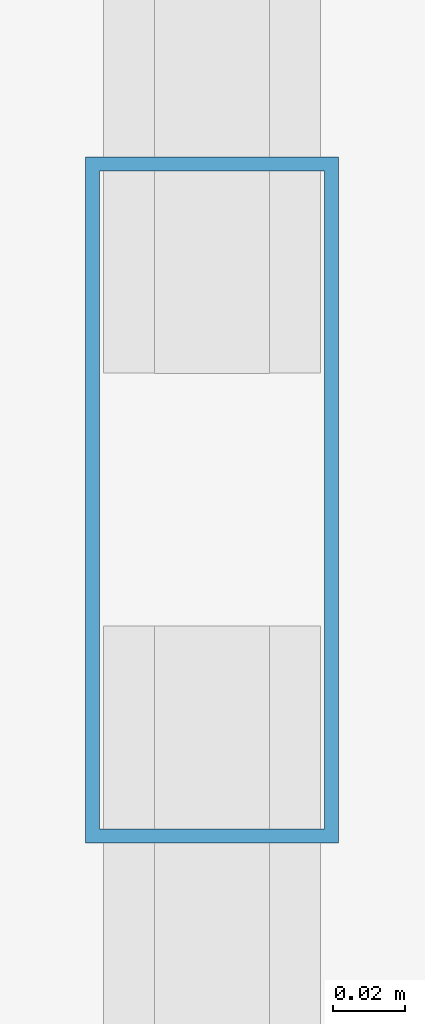
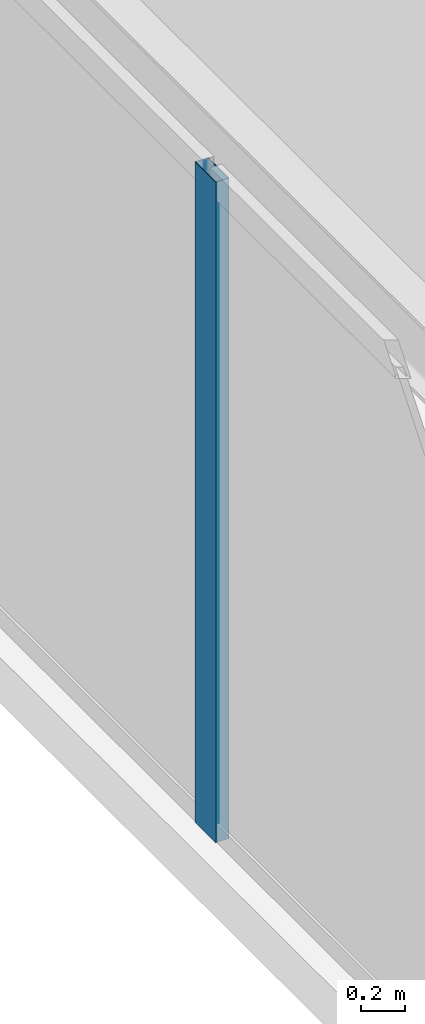
# One storey, part 10 of 32: 1 member, 1 element without a shape of its own.
"""IFC4 building model written with IfcOpenShell, lengths in metres."""

from ifc_helpers import new_model, si_unit, direction, frame, origin, origin_2d, place, context, subcontext, project, spatial, hollow_rectangle, extrude, source, transform, mapped, material, layer, layer_set, material_profile, profile_set, type_object, type_shapes, element, aggregate, save


model = new_model("IFC4")

# Units and contexts
model_context = context("Model", 3, precision=1e-05, world=origin(), true_north=direction((0.0, 1.0)))
body_context = subcontext(model_context, "Body", "Model", "MODEL_VIEW")
ifc_project = project(units=[si_unit("LENGTHUNIT", "METRE"), si_unit("AREAUNIT", "SQUARE_METRE"), si_unit("VOLUMEUNIT", "CUBIC_METRE"), si_unit("PLANEANGLEUNIT", "RADIAN"), si_unit("MASSUNIT", "GRAM", prefix="KILO")], contexts=[model_context])

# Site, building, storey
site_placement = place(None, origin())
site = spatial("IfcSite", under=ifc_project, at=site_placement, CompositionType="ELEMENT")
building_placement = place(site_placement, origin())
building = spatial("IfcBuilding", under=site, at=building_placement, Name="Varnel Quay Broadcast Tower", CompositionType="ELEMENT")
storey_placement = place(building_placement, frame((0.0, 0.0, 70.5)))
storey = spatial("IfcBuildingStorey", under=building, at=storey_placement, Name="L16", CompositionType="ELEMENT", Elevation=70.5)

# Curtain wall, member
ifc_material = material(Name="Anodised Bronze Aluminium 6063-T6", Category="aluminium")
ifc_layer = layer(ifc_material, 0.18994140625, Name="Anodised Bronze Aluminium 6063-T6")
ifc_layer_set = layer_set([ifc_layer], Name="Anodised Bronze Aluminium 6063-T6")
curtain_wall_type = type_object("IfcCurtainWallType", Name="CW_LowerTower", PredefinedType="NOTDEFINED", material=ifc_layer_set)
curtain_wall_placement = place(storey_placement, origin())
curtain_wall = element("IfcCurtainWall", 1, at=curtain_wall_placement, inside=storey, type_object=curtain_wall_type, Name="L16 West Unitised Curtain Wall", PredefinedType="NOTDEFINED")
ifc_material_profile = material_profile(ifc_material, hollow_rectangle(XDim=0.070068359375, YDim=0.18994140625, WallThickness=0.00390625, at=origin_2d()), Name="ALU70X190X4")
ifc_profile_set = profile_set([ifc_material_profile], Name="Anodised Bronze Aluminium 6063-T6")
member_type = type_object("IfcMemberType", Name="Mull_CWS-02", PredefinedType="MULLION", material=ifc_profile_set)
shared_shape = source(origin(), body_context, "Body", "SweptSolid", [
    extrude(hollow_rectangle(XDim=0.070068359375, YDim=0.18994140625, WallThickness=0.00390625, at=origin_2d()), origin(), (0.0, 0.0, 1.0), 3.64990234375),
])
type_shapes(member_type, [shared_shape])
member_placement = place(storey_placement, frame((2.14990234375, 30.39990234375, 0.0), z_axis=(0.0, 0.0, 1.0), x_axis=(-1.0, 0.0, 0.0)))
member = element("IfcMember", 2, at=member_placement, type_object=member_type, Name="CWS-02 mullion 3", PredefinedType="MULLION", context=body_context, shape_type="MappedRepresentation", body=[
    mapped(shared_shape, transform((0.0, 0.0, 0.0), x_axis=(1.0, 0.0, 0.0), y_axis=(0.0, 1.0, 0.0), z_axis=(0.0, 0.0, 1.0), scale=1.0)),
])
aggregate(curtain_wall, [member])

save(model, "model.ifc")
